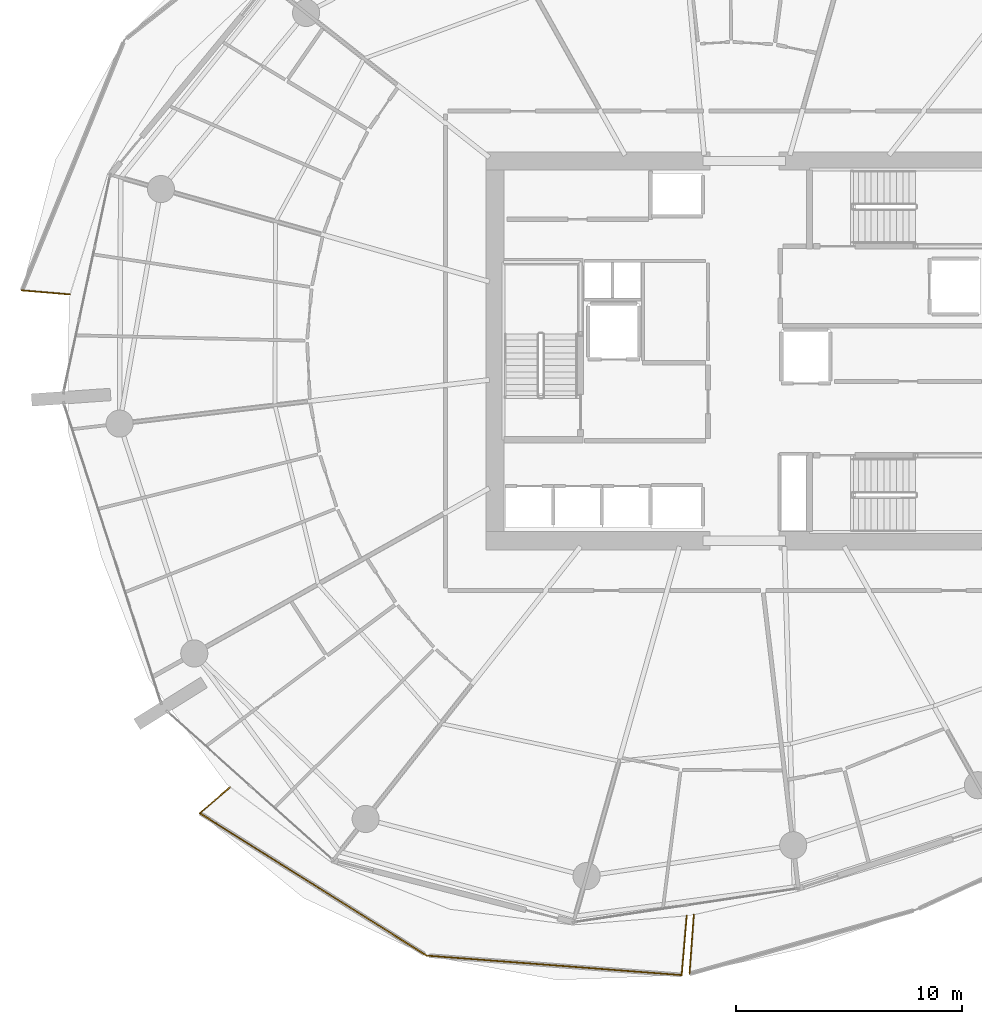
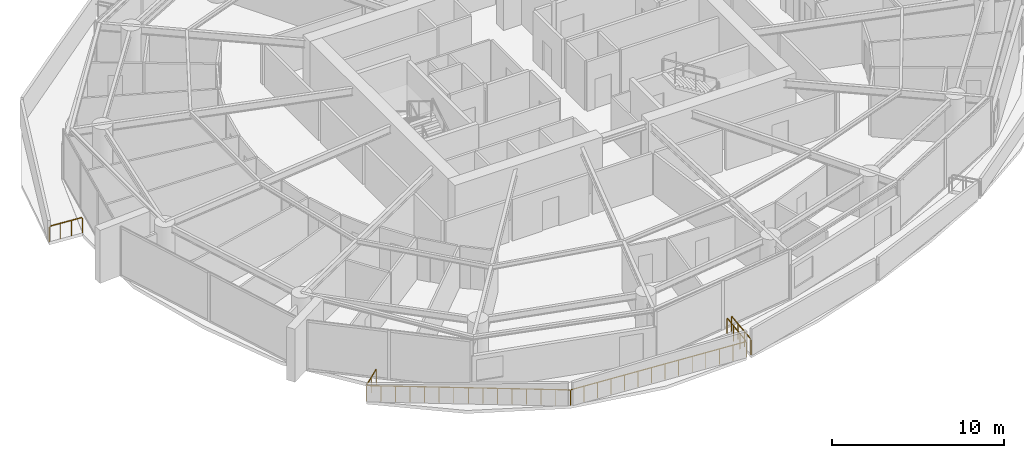
# One storey, part 17 of 23: 6 railings.
"""IFC4 building model written with IfcOpenShell, lengths in metres."""

import ifcopenshell
import ifcopenshell.guid

model = None  # the IFC model being written
_history = None  # IfcOwnerHistory: only IFC2X3 demands one
_inside = {}  # id of a spatial element -> (the spatial element, [elements in it])
_under = {}  # id of a project, library or spatial element -> (it, [spatial elements below it])
_declared = {}  # id of a project -> (the project, [libraries it declares])
_typed = {}  # id of a type object -> (the type object, [elements of that type])
_made_of = {}  # id of a material, layer set ... -> (it, [elements and type objects made of it])


def new_model(schema):
    """Start an empty IFC model of exactly this schema.

    Asked for "IFC4X3", IfcOpenShell would pick the latest addendum, in which some entities
    have other attributes; the version numbers below select the first issue.
    IFC2X3 requires an IfcOwnerHistory on every rooted entity: one is made here for all.
    """
    global model, _history
    if schema == "IFC4X3":
        model = ifcopenshell.file(schema_version=(4, 3, 0, 0))
    else:
        model = ifcopenshell.file(schema=schema)
    _inside.clear()
    _under.clear()
    _declared.clear()
    _typed.clear()
    _made_of.clear()
    _history = None
    if model.schema == "IFC2X3":
        org = make("IfcOrganization", Name="unknown")
        user = make(
            "IfcPersonAndOrganization",
            ThePerson=make("IfcPerson", FamilyName="unknown"),
            TheOrganization=org,
        )
        app = make(
            "IfcApplication",
            ApplicationDeveloper=org,
            Version="unknown",
            ApplicationFullName="unknown",
            ApplicationIdentifier="unknown",
        )
        _history = make(
            "IfcOwnerHistory",
            OwningUser=user,
            OwningApplication=app,
            ChangeAction="ADDED",
            CreationDate=0,
        )
    return model


def make(cls, **values):
    """One entity of the class cls with the attributes given. An attribute that is None is left unset."""
    return model.create_entity(
        cls, **{name: value for name, value in values.items() if value is not None}
    )


def rooted(cls, **values):
    """An entity with a GlobalId (a new one), such as an element, a storey or a relation."""
    return make(cls, GlobalId=ifcopenshell.guid.new(), OwnerHistory=_history, **values)


def si_unit(unit_type, name, prefix=None):
    """IfcSIUnit, for example si_unit("LENGTHUNIT", "METRE", prefix="MILLI")."""
    return make("IfcSIUnit", UnitType=unit_type, Prefix=prefix, Name=name)


def assignment(units):
    """IfcUnitAssignment: the units of a project."""
    return None if units is None else make("IfcUnitAssignment", Units=units)


def point(xyz):
    """IfcCartesianPoint."""
    return None if xyz is None else make("IfcCartesianPoint", Coordinates=xyz)


def direction(xyz):
    """IfcDirection."""
    return None if xyz is None else make("IfcDirection", DirectionRatios=xyz)


def frame(location, z_axis=None, x_axis=None):
    """IfcAxis2Placement3D, a coordinate frame: its origin and axes. An axis left out is left unset."""
    return make(
        "IfcAxis2Placement3D",
        Location=point(location),
        Axis=direction(z_axis),
        RefDirection=direction(x_axis),
    )


def frame_2d(location, x_axis=None):
    """IfcAxis2Placement2D, a coordinate frame in the plane: its origin and x axis."""
    return make(
        "IfcAxis2Placement2D", Location=point(location), RefDirection=direction(x_axis)
    )


def origin():
    """The frame at (0, 0, 0) with its axes left unset."""
    return frame((0.0, 0.0, 0.0))


def origin_2d():
    """The frame at (0, 0) in the plane with its x axis left unset."""
    return frame_2d((0.0, 0.0))


def place(relative_to, where):
    """IfcLocalPlacement: puts the frame where relative to a parent placement (None: the world)."""
    return make(
        "IfcLocalPlacement", PlacementRelTo=relative_to, RelativePlacement=where
    )


def context(
    kind, dimensions, precision=None, world=None, true_north=None, identifier=None
):
    """IfcGeometricRepresentationContext, for example the 3D "Model" context."""
    return make(
        "IfcGeometricRepresentationContext",
        ContextIdentifier=identifier,
        ContextType=kind,
        CoordinateSpaceDimension=dimensions,
        Precision=precision,
        WorldCoordinateSystem=world,
        TrueNorth=true_north,
    )


def subcontext(parent, identifier, kind, view, scale=None):
    """IfcGeometricRepresentationSubContext, for example "Body" below "Model"."""
    return make(
        "IfcGeometricRepresentationSubContext",
        ContextIdentifier=identifier,
        ContextType=kind,
        ParentContext=parent,
        TargetScale=scale,
        TargetView=view,
    )


def project(units=None, contexts=None):
    """IfcProject with its units and contexts."""
    return rooted(
        "IfcProject",
        Name="project",
        RepresentationContexts=contexts,
        UnitsInContext=assignment(units),
    )


def spatial(cls, under=None, at=None, **own):
    """A site, building, storey or space (cls), placed at a placement, below another one or the project."""
    s = rooted(cls, ObjectPlacement=at, **own)
    if under is not None:
        _under.setdefault(under.id(), (under, []))[1].append(s)
    return s


def profile(cls, at=None, kind="AREA", **sizes):
    """A parametric profile (cls). Its sizes go by their IFC names, for example OverallWidth=200.0."""
    return make(cls, ProfileType=kind, Position=at, **sizes)


def rectangle(**sizes):
    """IfcRectangleProfileDef."""
    return profile("IfcRectangleProfileDef", **sizes)


def extrude(swept, where, along, depth):
    """IfcExtrudedAreaSolid: the profile swept, set in the frame where, extruded along a direction by depth."""
    return make(
        "IfcExtrudedAreaSolid",
        SweptArea=swept,
        Position=where,
        ExtrudedDirection=direction(along),
        Depth=depth,
    )


def shape(context_of_items, identifier, shape_type, items):
    """IfcShapeRepresentation: the items that make up one representation, for example the "Body"."""
    return make(
        "IfcShapeRepresentation",
        ContextOfItems=context_of_items,
        RepresentationIdentifier=identifier,
        RepresentationType=shape_type,
        Items=items,
    )


def material(Name=None, Category=None):
    """IfcMaterial."""
    return make("IfcMaterial", Name=Name, Category=Category)


def made_of(thing, what):
    """Note that an element or type object is made of a material, layer set ...; save() writes the relation."""
    if what is not None:
        _made_of.setdefault(what.id(), (what, []))[1].append(thing)
    return thing


def type_object(cls, material=None, **own):
    """A type object (cls), such as IfcWallType, which elements share."""
    return made_of(rooted(cls, **own), material)


def element(
    cls,
    number,
    at=None,
    inside=None,
    cuts=None,
    type_object=None,
    material=None,
    context=None,
    identifier="Body",
    shape_type=None,
    held_by="IfcProductDefinitionShape",
    body=None,
    shapes=None,
    **own,
):
    """One element of the class cls, such as IfcWall. Its Tag is "e" and its number.

    at: its placement. inside: the storey or other place that contains it. cuts: it is an
    opening in that element (IfcRelVoidsElement). A single representation is given by context,
    identifier, shape_type and body (its items); several are given by shapes. held_by: the class
    of the entity that holds the representations. save() writes the other relations.
    """
    e = rooted(cls, Tag="e%d" % number, ObjectPlacement=at, **own)
    if body is not None:
        shapes = [shape(context, identifier, shape_type, body)]
    if shapes is not None:
        e.Representation = make(held_by, Representations=shapes)
    if inside is not None:
        _inside.setdefault(inside.id(), (inside, []))[1].append(e)
    if cuts is not None:
        rooted(
            "IfcRelVoidsElement", RelatingBuildingElement=cuts, RelatedOpeningElement=e
        )
    if type_object is not None:
        _typed.setdefault(type_object.id(), (type_object, []))[1].append(e)
    return made_of(e, material)


def aggregate(whole, parts):
    """IfcRelAggregates: a whole, such as a stair, and the parts it consists of."""
    return rooted("IfcRelAggregates", RelatingObject=whole, RelatedObjects=parts)


def save(model, path):
    """Write the relations noted so far, then the file.

    IfcRelAggregates (storeys below a building ...), IfcRelContainedInSpatialStructure (elements
    in a storey), IfcRelDefinesByType, IfcRelAssociatesMaterial and IfcRelDeclares: one each for
    every whole, place, type object, material and project.
    """
    for whole, parts in _under.values():
        aggregate(whole, parts)
    for where, things in _inside.values():
        rooted(
            "IfcRelContainedInSpatialStructure",
            RelatedElements=things,
            RelatingStructure=where,
        )
    for kind, things in _typed.values():
        rooted("IfcRelDefinesByType", RelatedObjects=things, RelatingType=kind)
    for what, things in _made_of.values():
        rooted("IfcRelAssociatesMaterial", RelatedObjects=things, RelatingMaterial=what)
    for by, libraries in _declared.values():
        rooted("IfcRelDeclares", RelatingContext=by, RelatedDefinitions=libraries)
    model.write(path)


model = new_model("IFC4")

# Units and contexts
model_context = context("Model", 3, precision=1e-05, world=origin(), true_north=direction((0.0, 1.0)))
body_context = subcontext(model_context, "Body", "Model", "MODEL_VIEW")
ifc_project = project(units=[si_unit("LENGTHUNIT", "METRE"), si_unit("AREAUNIT", "SQUARE_METRE"), si_unit("VOLUMEUNIT", "CUBIC_METRE"), si_unit("PLANEANGLEUNIT", "RADIAN"), si_unit("MASSUNIT", "GRAM", prefix="KILO")], contexts=[model_context])

# Site, building, storey
site_placement = place(None, origin())
site = spatial("IfcSite", under=ifc_project, at=site_placement, CompositionType="ELEMENT")
building_placement = place(site_placement, origin())
building = spatial("IfcBuilding", under=site, at=building_placement, Name="Kazma Halo Residences", CompositionType="ELEMENT")
storey_placement = place(building_placement, frame((0.0, 0.0, 78.89990234375)))
storey = spatial("IfcBuildingStorey", under=building, at=storey_placement, Name="L19", CompositionType="ELEMENT", Elevation=78.89990234375)

# Railings
ifc_material = material(Name="Aluminium AW-6063 T6 Brushed Cap Rail", Category="aluminium")
railing_type = type_object("IfcRailingType", Name="RLG-BAL-CAP-1120", PredefinedType="BALUSTRADE", material=ifc_material)
railing_1_placement = place(storey_placement, frame((16.47119140625, 44.67529296875, 0.0)))
element("IfcRailing", 1, at=railing_1_placement, inside=storey, type_object=railing_type, Name="L19 NW wave balcony guard 4", PredefinedType="BALUSTRADE", context=body_context, shape_type="SweptSolid", body=[
    extrude(rectangle(XDim=0.050048828125, YDim=0.050048828125, at=origin_2d()), frame((0.04248046875, -0.003662109375, 1.09521484375), z_axis=(0.99641488655, -0.084601263952, 0.0), x_axis=(0.084601263952, 0.99641488655, 0.0)), (0.0, 0.0, 1.0), 2.044677734375),
    extrude(rectangle(XDim=0.0400390625, YDim=0.0400390625, at=origin_2d()), origin(), (0.0, 0.0, 1.0), 1.05810546875),
    extrude(rectangle(XDim=0.0400390625, YDim=0.0400390625, at=origin_2d()), frame((0.707275390625, -0.06005859375, 0.0)), (0.0, 0.0, 1.0), 1.05810546875),
    extrude(rectangle(XDim=0.0400390625, YDim=0.0400390625, at=origin_2d()), frame((1.414794921875, -0.1201171875, 0.0)), (0.0, 0.0, 1.0), 1.05810546875),
    extrude(rectangle(XDim=0.0400390625, YDim=0.0400390625, at=origin_2d()), frame((2.1220703125, -0.18017578125, 0.0)), (0.0, 0.0, 1.0), 1.05810546875),
])
railing_2_placement = place(storey_placement, frame((25.676025390625, 22.696533203125, 0.0)))
element("IfcRailing", 2, at=railing_2_placement, inside=storey, type_object=railing_type, Name="L19 SW wave balcony guard 1", PredefinedType="BALUSTRADE", context=body_context, shape_type="SweptSolid", body=[
    extrude(rectangle(XDim=0.050048828125, YDim=0.050048828125, at=origin_2d()), frame((-0.0322265625, -0.02783203125, 1.09521484375), z_axis=(-0.756398434007, -0.654111159537, 0.0), x_axis=(0.654111159537, -0.756398434007, 0.0)), (0.0, 0.0, 1.0), 1.674072265625),
    extrude(rectangle(XDim=0.0400390625, YDim=0.0400390625, at=origin_2d()), origin(), (0.0, 0.0, 1.0), 1.05810546875),
    extrude(rectangle(XDim=0.0400390625, YDim=0.0400390625, at=origin_2d()), frame((-0.665283203125, -0.5751953125, 0.0)), (0.0, 0.0, 1.0), 1.05810546875),
    extrude(rectangle(XDim=0.0400390625, YDim=0.0400390625, at=origin_2d()), frame((-1.33056640625, -1.150634765625, 0.0)), (0.0, 0.0, 1.0), 1.05810546875),
])
railing_3_placement = place(storey_placement, frame((24.345458984375, 21.5458984375, 0.0)))
element("IfcRailing", 3, at=railing_3_placement, inside=storey, type_object=railing_type, Name="L19 SW wave balcony guard 2", PredefinedType="BALUSTRADE", context=body_context, shape_type="SweptSolid", body=[
    extrude(rectangle(XDim=0.050048828125, YDim=0.050048828125, at=origin_2d()), frame((0.0361328125, -0.022705078125, 1.09521484375), z_axis=(0.846863203763, -0.531810787887, 0.0), x_axis=(0.531810787887, 0.846863203763, 0.0)), (0.0, 0.0, 1.0), 11.752685546875),
    extrude(rectangle(XDim=0.0400390625, YDim=0.0400390625, at=origin_2d()), origin(), (0.0, 0.0, 1.0), 1.05810546875),
    extrude(rectangle(XDim=0.0400390625, YDim=0.0400390625, at=origin_2d()), frame((0.716064453125, -0.44970703125, 0.0)), (0.0, 0.0, 1.0), 1.05810546875),
    extrude(rectangle(XDim=0.0400390625, YDim=0.0400390625, at=origin_2d()), frame((1.43212890625, -0.8994140625, 0.0)), (0.0, 0.0, 1.0), 1.05810546875),
    extrude(rectangle(XDim=0.0400390625, YDim=0.0400390625, at=origin_2d()), frame((2.148193359375, -1.34912109375, 0.0)), (0.0, 0.0, 1.0), 1.05810546875),
    extrude(rectangle(XDim=0.0400390625, YDim=0.0400390625, at=origin_2d()), frame((2.8642578125, -1.798583984375, 0.0)), (0.0, 0.0, 1.0), 1.05810546875),
    extrude(rectangle(XDim=0.0400390625, YDim=0.0400390625, at=origin_2d()), frame((3.580322265625, -2.248291015625, 0.0)), (0.0, 0.0, 1.0), 1.05810546875),
    extrude(rectangle(XDim=0.0400390625, YDim=0.0400390625, at=origin_2d()), frame((4.29638671875, -2.697998046875, 0.0)), (0.0, 0.0, 1.0), 1.05810546875),
    extrude(rectangle(XDim=0.0400390625, YDim=0.0400390625, at=origin_2d()), frame((5.012451171875, -3.147705078125, 0.0)), (0.0, 0.0, 1.0), 1.05810546875),
    extrude(rectangle(XDim=0.0400390625, YDim=0.0400390625, at=origin_2d()), frame((5.728515625, -3.597412109375, 0.0)), (0.0, 0.0, 1.0), 1.05810546875),
    extrude(rectangle(XDim=0.0400390625, YDim=0.0400390625, at=origin_2d()), frame((6.444580078125, -4.047119140625, 0.0)), (0.0, 0.0, 1.0), 1.05810546875),
    extrude(rectangle(XDim=0.0400390625, YDim=0.0400390625, at=origin_2d()), frame((7.16064453125, -4.496826171875, 0.0)), (0.0, 0.0, 1.0), 1.05810546875),
    extrude(rectangle(XDim=0.0400390625, YDim=0.0400390625, at=origin_2d()), frame((7.876708984375, -4.9462890625, 0.0)), (0.0, 0.0, 1.0), 1.05810546875),
    extrude(rectangle(XDim=0.0400390625, YDim=0.0400390625, at=origin_2d()), frame((8.5927734375, -5.39599609375, 0.0)), (0.0, 0.0, 1.0), 1.05810546875),
    extrude(rectangle(XDim=0.0400390625, YDim=0.0400390625, at=origin_2d()), frame((9.308837890625, -5.845703125, 0.0)), (0.0, 0.0, 1.0), 1.05810546875),
    extrude(rectangle(XDim=0.0400390625, YDim=0.0400390625, at=origin_2d()), frame((10.02490234375, -6.29541015625, 0.0)), (0.0, 0.0, 1.0), 1.05810546875),
])
railing_4_placement = place(storey_placement, frame((34.370361328125, 15.25048828125, 0.0)))
element("IfcRailing", 4, at=railing_4_placement, inside=storey, type_object=railing_type, Name="L19 SW wave balcony guard 3", PredefinedType="BALUSTRADE", context=body_context, shape_type="SweptSolid", body=[
    extrude(rectangle(XDim=0.050048828125, YDim=0.050048828125, at=origin_2d()), frame((0.04248046875, -0.003173828125, 1.09521484375), z_axis=(0.997087631922, -0.076264370895, 0.0), x_axis=(0.076264370895, 0.997087631922, 0.0)), (0.0, 0.0, 1.0), 11.234619140625),
    extrude(rectangle(XDim=0.0400390625, YDim=0.0400390625, at=origin_2d()), origin(), (0.0, 0.0, 1.0), 1.05810546875),
    extrude(rectangle(XDim=0.0400390625, YDim=0.0400390625, at=origin_2d()), frame((0.8681640625, -0.06640625, 0.0)), (0.0, 0.0, 1.0), 1.05810546875),
    extrude(rectangle(XDim=0.0400390625, YDim=0.0400390625, at=origin_2d()), frame((1.736328125, -0.1328125, 0.0)), (0.0, 0.0, 1.0), 1.05810546875),
    extrude(rectangle(XDim=0.0400390625, YDim=0.0400390625, at=origin_2d()), frame((2.6044921875, -0.19921875, 0.0)), (0.0, 0.0, 1.0), 1.05810546875),
    extrude(rectangle(XDim=0.0400390625, YDim=0.0400390625, at=origin_2d()), frame((3.472900390625, -0.265625, 0.0)), (0.0, 0.0, 1.0), 1.05810546875),
    extrude(rectangle(XDim=0.0400390625, YDim=0.0400390625, at=origin_2d()), frame((4.341064453125, -0.33203125, 0.0)), (0.0, 0.0, 1.0), 1.05810546875),
    extrude(rectangle(XDim=0.0400390625, YDim=0.0400390625, at=origin_2d()), frame((5.209228515625, -0.3984375, 0.0)), (0.0, 0.0, 1.0), 1.05810546875),
    extrude(rectangle(XDim=0.0400390625, YDim=0.0400390625, at=origin_2d()), frame((6.077392578125, -0.46484375, 0.0)), (0.0, 0.0, 1.0), 1.05810546875),
    extrude(rectangle(XDim=0.0400390625, YDim=0.0400390625, at=origin_2d()), frame((6.945556640625, -0.53125, 0.0)), (0.0, 0.0, 1.0), 1.05810546875),
    extrude(rectangle(XDim=0.0400390625, YDim=0.0400390625, at=origin_2d()), frame((7.813720703125, -0.59765625, 0.0)), (0.0, 0.0, 1.0), 1.05810546875),
    extrude(rectangle(XDim=0.0400390625, YDim=0.0400390625, at=origin_2d()), frame((8.68212890625, -0.6640625, 0.0)), (0.0, 0.0, 1.0), 1.05810546875),
    extrude(rectangle(XDim=0.0400390625, YDim=0.0400390625, at=origin_2d()), frame((9.55029296875, -0.73046875, 0.0)), (0.0, 0.0, 1.0), 1.05810546875),
    extrude(rectangle(XDim=0.0400390625, YDim=0.0400390625, at=origin_2d()), frame((10.41845703125, -0.796875, 0.0)), (0.0, 0.0, 1.0), 1.05810546875),
    extrude(rectangle(XDim=0.0400390625, YDim=0.0400390625, at=origin_2d()), frame((11.28662109375, -0.86328125, 0.0)), (0.0, 0.0, 1.0), 1.05810546875),
])
railing_5_placement = place(storey_placement, frame((45.656982421875, 14.38720703125, 0.0)))
element("IfcRailing", 5, at=railing_5_placement, inside=storey, type_object=railing_type, Name="L19 SW wave balcony guard 4", PredefinedType="BALUSTRADE", context=body_context, shape_type="SweptSolid", body=[
    extrude(rectangle(XDim=0.050048828125, YDim=0.050048828125, at=origin_2d()), frame((0.003662109375, 0.04248046875, 1.09521484375), z_axis=(0.084574307867, 0.996417174907, 0.0), x_axis=(-0.996417174907, 0.084574307867, 0.0)), (0.0, 0.0, 1.0), 2.544677734375),
    extrude(rectangle(XDim=0.0400390625, YDim=0.0400390625, at=origin_2d()), origin(), (0.0, 0.0, 1.0), 1.05810546875),
    extrude(rectangle(XDim=0.0400390625, YDim=0.0400390625, at=origin_2d()), frame((0.07421875, 0.87353515625, 0.0)), (0.0, 0.0, 1.0), 1.05810546875),
    extrude(rectangle(XDim=0.0400390625, YDim=0.0400390625, at=origin_2d()), frame((0.148193359375, 1.746826171875, 0.0)), (0.0, 0.0, 1.0), 1.05810546875),
    extrude(rectangle(XDim=0.0400390625, YDim=0.0400390625, at=origin_2d()), frame((0.222412109375, 2.620361328125, 0.0)), (0.0, 0.0, 1.0), 1.05810546875),
])
railing_6_placement = place(storey_placement, frame((46.18994140625, 17.05419921875, 0.0)))
element("IfcRailing", 6, at=railing_6_placement, inside=storey, type_object=railing_type, Name="L19 SSE wave balcony guard 1", PredefinedType="BALUSTRADE", context=body_context, shape_type="SweptSolid", body=[
    extrude(rectangle(XDim=0.050048828125, YDim=0.050048828125, at=origin_2d()), frame((-0.003173828125, -0.04248046875, 1.09521484375), z_axis=(-0.072357392934, -0.997378768416, 0.0), x_axis=(0.997378768416, -0.072357392934, 0.0)), (0.0, 0.0, 1.0), 2.5400390625),
    extrude(rectangle(XDim=0.0400390625, YDim=0.0400390625, at=origin_2d()), origin(), (0.0, 0.0, 1.0), 1.05810546875),
    extrude(rectangle(XDim=0.0400390625, YDim=0.0400390625, at=origin_2d()), frame((-0.063232421875, -0.872802734375, 0.0)), (0.0, 0.0, 1.0), 1.05810546875),
    extrude(rectangle(XDim=0.0400390625, YDim=0.0400390625, at=origin_2d()), frame((-0.126708984375, -1.745361328125, 0.0)), (0.0, 0.0, 1.0), 1.05810546875),
    extrude(rectangle(XDim=0.0400390625, YDim=0.0400390625, at=origin_2d()), frame((-0.18994140625, -2.6181640625, 0.0)), (0.0, 0.0, 1.0), 1.05810546875),
])

save(model, "model.ifc")
